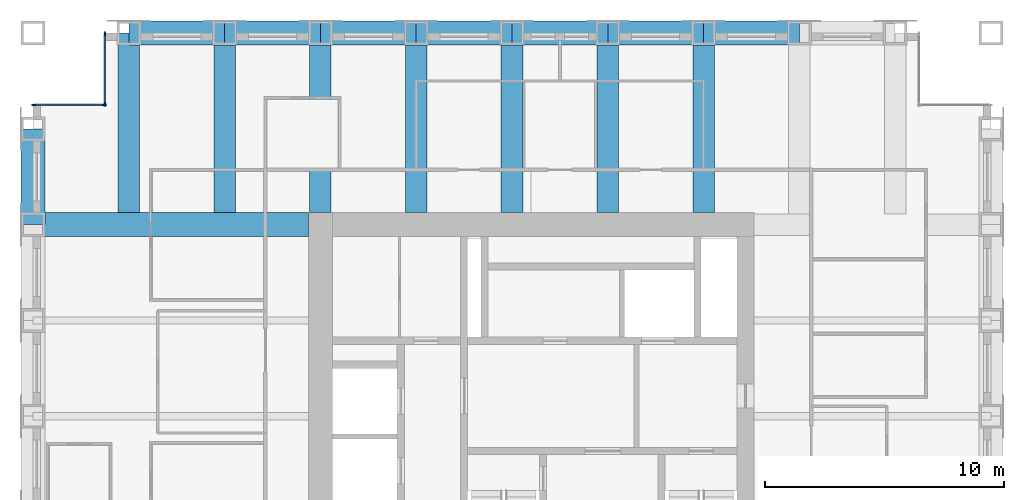
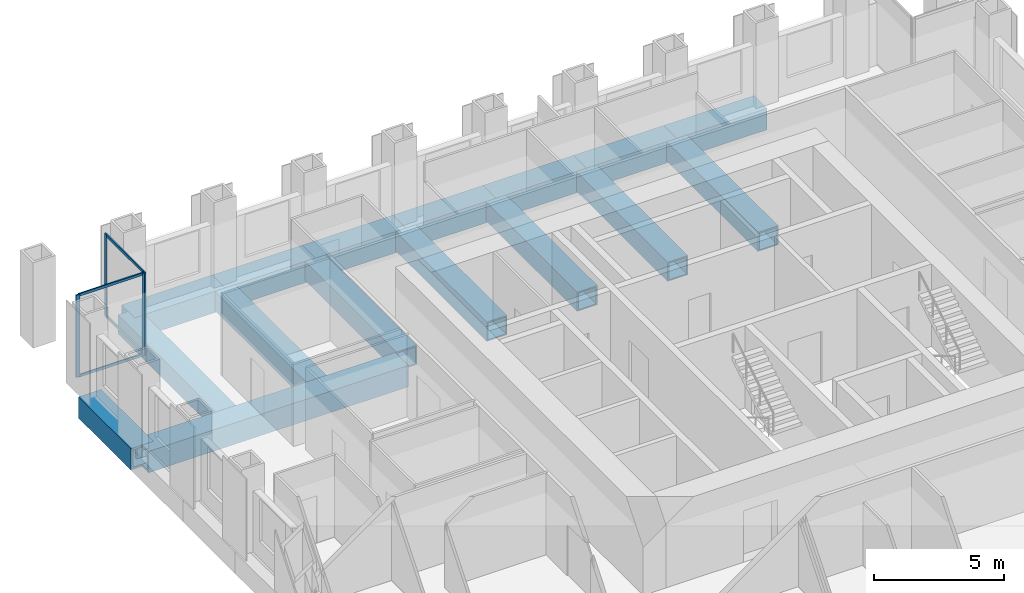
# One storey, part 5 of 13: 16 beams, 8 members, 2 elements without a shape of their own.
"""IFC4 building model written with IfcOpenShell, lengths in metres."""

import ifcopenshell
import ifcopenshell.guid

model = None  # the IFC model being written
_history = None  # IfcOwnerHistory: only IFC2X3 demands one
_inside = {}  # id of a spatial element -> (the spatial element, [elements in it])
_under = {}  # id of a project, library or spatial element -> (it, [spatial elements below it])
_declared = {}  # id of a project -> (the project, [libraries it declares])
_typed = {}  # id of a type object -> (the type object, [elements of that type])
_made_of = {}  # id of a material, layer set ... -> (it, [elements and type objects made of it])


def new_model(schema):
    """Start an empty IFC model of exactly this schema.

    Asked for "IFC4X3", IfcOpenShell would pick the latest addendum, in which some entities
    have other attributes; the version numbers below select the first issue.
    IFC2X3 requires an IfcOwnerHistory on every rooted entity: one is made here for all.
    """
    global model, _history
    if schema == "IFC4X3":
        model = ifcopenshell.file(schema_version=(4, 3, 0, 0))
    else:
        model = ifcopenshell.file(schema=schema)
    _inside.clear()
    _under.clear()
    _declared.clear()
    _typed.clear()
    _made_of.clear()
    _history = None
    if model.schema == "IFC2X3":
        org = make("IfcOrganization", Name="unknown")
        user = make(
            "IfcPersonAndOrganization",
            ThePerson=make("IfcPerson", FamilyName="unknown"),
            TheOrganization=org,
        )
        app = make(
            "IfcApplication",
            ApplicationDeveloper=org,
            Version="unknown",
            ApplicationFullName="unknown",
            ApplicationIdentifier="unknown",
        )
        _history = make(
            "IfcOwnerHistory",
            OwningUser=user,
            OwningApplication=app,
            ChangeAction="ADDED",
            CreationDate=0,
        )
    return model


def make(cls, **values):
    """One entity of the class cls with the attributes given. An attribute that is None is left unset."""
    return model.create_entity(
        cls, **{name: value for name, value in values.items() if value is not None}
    )


def rooted(cls, **values):
    """An entity with a GlobalId (a new one), such as an element, a storey or a relation."""
    return make(cls, GlobalId=ifcopenshell.guid.new(), OwnerHistory=_history, **values)


def si_unit(unit_type, name, prefix=None):
    """IfcSIUnit, for example si_unit("LENGTHUNIT", "METRE", prefix="MILLI")."""
    return make("IfcSIUnit", UnitType=unit_type, Prefix=prefix, Name=name)


def assignment(units):
    """IfcUnitAssignment: the units of a project."""
    return None if units is None else make("IfcUnitAssignment", Units=units)


def point(xyz):
    """IfcCartesianPoint."""
    return None if xyz is None else make("IfcCartesianPoint", Coordinates=xyz)


def direction(xyz):
    """IfcDirection."""
    return None if xyz is None else make("IfcDirection", DirectionRatios=xyz)


def frame(location, z_axis=None, x_axis=None):
    """IfcAxis2Placement3D, a coordinate frame: its origin and axes. An axis left out is left unset."""
    return make(
        "IfcAxis2Placement3D",
        Location=point(location),
        Axis=direction(z_axis),
        RefDirection=direction(x_axis),
    )


def frame_2d(location, x_axis=None):
    """IfcAxis2Placement2D, a coordinate frame in the plane: its origin and x axis."""
    return make(
        "IfcAxis2Placement2D", Location=point(location), RefDirection=direction(x_axis)
    )


def origin():
    """The frame at (0, 0, 0) with its axes left unset."""
    return frame((0.0, 0.0, 0.0))


def origin_2d():
    """The frame at (0, 0) in the plane with its x axis left unset."""
    return frame_2d((0.0, 0.0))


def place(relative_to, where):
    """IfcLocalPlacement: puts the frame where relative to a parent placement (None: the world)."""
    return make(
        "IfcLocalPlacement", PlacementRelTo=relative_to, RelativePlacement=where
    )


def context(
    kind, dimensions, precision=None, world=None, true_north=None, identifier=None
):
    """IfcGeometricRepresentationContext, for example the 3D "Model" context."""
    return make(
        "IfcGeometricRepresentationContext",
        ContextIdentifier=identifier,
        ContextType=kind,
        CoordinateSpaceDimension=dimensions,
        Precision=precision,
        WorldCoordinateSystem=world,
        TrueNorth=true_north,
    )


def subcontext(parent, identifier, kind, view, scale=None):
    """IfcGeometricRepresentationSubContext, for example "Body" below "Model"."""
    return make(
        "IfcGeometricRepresentationSubContext",
        ContextIdentifier=identifier,
        ContextType=kind,
        ParentContext=parent,
        TargetScale=scale,
        TargetView=view,
    )


def project(units=None, contexts=None):
    """IfcProject with its units and contexts."""
    return rooted(
        "IfcProject",
        Name="project",
        RepresentationContexts=contexts,
        UnitsInContext=assignment(units),
    )


def spatial(cls, under=None, at=None, **own):
    """A site, building, storey or space (cls), placed at a placement, below another one or the project."""
    s = rooted(cls, ObjectPlacement=at, **own)
    if under is not None:
        _under.setdefault(under.id(), (under, []))[1].append(s)
    return s


def profile(cls, at=None, kind="AREA", **sizes):
    """A parametric profile (cls). Its sizes go by their IFC names, for example OverallWidth=200.0."""
    return make(cls, ProfileType=kind, Position=at, **sizes)


def rectangle(**sizes):
    """IfcRectangleProfileDef."""
    return profile("IfcRectangleProfileDef", **sizes)


def hollow_rectangle(**sizes):
    """IfcRectangleHollowProfileDef."""
    return profile("IfcRectangleHollowProfileDef", **sizes)


def extrude(swept, where, along, depth):
    """IfcExtrudedAreaSolid: the profile swept, set in the frame where, extruded along a direction by depth."""
    return make(
        "IfcExtrudedAreaSolid",
        SweptArea=swept,
        Position=where,
        ExtrudedDirection=direction(along),
        Depth=depth,
    )


def shape(context_of_items, identifier, shape_type, items):
    """IfcShapeRepresentation: the items that make up one representation, for example the "Body"."""
    return make(
        "IfcShapeRepresentation",
        ContextOfItems=context_of_items,
        RepresentationIdentifier=identifier,
        RepresentationType=shape_type,
        Items=items,
    )


def material(Name=None, Category=None):
    """IfcMaterial."""
    return make("IfcMaterial", Name=Name, Category=Category)


def material_profile(
    of_material, cross_section, Name=None, Category=None, Priority=None
):
    """IfcMaterialProfile: a cross section and its material."""
    return make(
        "IfcMaterialProfile",
        Name=Name,
        Material=of_material,
        Profile=cross_section,
        Priority=Priority,
        Category=Category,
    )


def profile_set(profiles, Name=None, composite=None):
    """IfcMaterialProfileSet."""
    return make(
        "IfcMaterialProfileSet",
        Name=Name,
        MaterialProfiles=profiles,
        CompositeProfile=composite,
    )


def made_of(thing, what):
    """Note that an element or type object is made of a material, layer set ...; save() writes the relation."""
    if what is not None:
        _made_of.setdefault(what.id(), (what, []))[1].append(thing)
    return thing


def type_object(cls, material=None, **own):
    """A type object (cls), such as IfcWallType, which elements share."""
    return made_of(rooted(cls, **own), material)


def element(
    cls,
    number,
    at=None,
    inside=None,
    cuts=None,
    type_object=None,
    material=None,
    context=None,
    identifier="Body",
    shape_type=None,
    held_by="IfcProductDefinitionShape",
    body=None,
    shapes=None,
    **own,
):
    """One element of the class cls, such as IfcWall. Its Tag is "e" and its number.

    at: its placement. inside: the storey or other place that contains it. cuts: it is an
    opening in that element (IfcRelVoidsElement). A single representation is given by context,
    identifier, shape_type and body (its items); several are given by shapes. held_by: the class
    of the entity that holds the representations. save() writes the other relations.
    """
    e = rooted(cls, Tag="e%d" % number, ObjectPlacement=at, **own)
    if body is not None:
        shapes = [shape(context, identifier, shape_type, body)]
    if shapes is not None:
        e.Representation = make(held_by, Representations=shapes)
    if inside is not None:
        _inside.setdefault(inside.id(), (inside, []))[1].append(e)
    if cuts is not None:
        rooted(
            "IfcRelVoidsElement", RelatingBuildingElement=cuts, RelatedOpeningElement=e
        )
    if type_object is not None:
        _typed.setdefault(type_object.id(), (type_object, []))[1].append(e)
    return made_of(e, material)


def aggregate(whole, parts):
    """IfcRelAggregates: a whole, such as a stair, and the parts it consists of."""
    return rooted("IfcRelAggregates", RelatingObject=whole, RelatedObjects=parts)


def save(model, path):
    """Write the relations noted so far, then the file.

    IfcRelAggregates (storeys below a building ...), IfcRelContainedInSpatialStructure (elements
    in a storey), IfcRelDefinesByType, IfcRelAssociatesMaterial and IfcRelDeclares: one each for
    every whole, place, type object, material and project.
    """
    for whole, parts in _under.values():
        aggregate(whole, parts)
    for where, things in _inside.values():
        rooted(
            "IfcRelContainedInSpatialStructure",
            RelatedElements=things,
            RelatingStructure=where,
        )
    for kind, things in _typed.values():
        rooted("IfcRelDefinesByType", RelatedObjects=things, RelatingType=kind)
    for what, things in _made_of.values():
        rooted("IfcRelAssociatesMaterial", RelatedObjects=things, RelatingMaterial=what)
    for by, libraries in _declared.values():
        rooted("IfcRelDeclares", RelatingContext=by, RelatedDefinitions=libraries)
    model.write(path)


model = new_model("IFC4")

# Units and contexts
model_context = context("Model", 3, precision=1e-05, world=origin(), true_north=direction((0.0, 1.0)))
body_context = subcontext(model_context, "Body", "Model", "MODEL_VIEW")
ifc_project = project(units=[si_unit("LENGTHUNIT", "METRE"), si_unit("AREAUNIT", "SQUARE_METRE"), si_unit("VOLUMEUNIT", "CUBIC_METRE"), si_unit("PLANEANGLEUNIT", "RADIAN"), si_unit("MASSUNIT", "GRAM", prefix="KILO")], contexts=[model_context])

# Site, building, storey
site_placement = place(None, origin())
site = spatial("IfcSite", under=ifc_project, at=site_placement, CompositionType="ELEMENT")
building_placement = place(site_placement, origin())
building = spatial("IfcBuilding", under=site, at=building_placement, Name="Rimbunsela Tower", CompositionType="ELEMENT")
storey_placement = place(building_placement, frame((0.0, 0.0, 294.199951171875)))
storey = spatial("IfcBuildingStorey", under=building, at=storey_placement, Name="L71", CompositionType="ELEMENT", Elevation=294.199951171875)

# Beams
ifc_material_1 = material(Name="Steel BJ 55 (fy 410 MPa)", Category="steel")
ifc_material_profile_1 = material_profile(ifc_material_1, hollow_rectangle(XDim=1.0, YDim=1.0, WallThickness=0.10009765625, at=origin_2d()), Name="BOX 1000x1000x100")
ifc_profile_set_1 = profile_set([ifc_material_profile_1], Name="Steel BJ 55 (fy 410 MPa)")
beam_type_1 = type_object("IfcBeamType", Name="Beam BOX 1000x1000x100", PredefinedType="BEAM", material=ifc_profile_set_1)
beam_1_placement = place(storey_placement, frame((6.0, 36.0, -0.64990234375), z_axis=(0.0, 1.0, 0.0), x_axis=(-1.0, 0.0, 0.0)))
element("IfcBeam", 1, at=beam_1_placement, inside=storey, type_object=beam_type_1, Name="Beam B3 L71", PredefinedType="BEAM", context=body_context, shape_type="SweptSolid", body=[
    extrude(hollow_rectangle(XDim=1.0, YDim=1.0, WallThickness=0.10009765625, at=origin_2d()), origin(), (0.0, 0.0, 1.0), 4.0),
])
beam_2_placement = place(storey_placement, frame((6.0, 36.0, -0.64990234375), z_axis=(1.0, 0.0, 0.0), x_axis=(0.0, 1.0, 0.0)))
element("IfcBeam", 2, at=beam_2_placement, inside=storey, type_object=beam_type_1, Name="Beam B3 L71", PredefinedType="BEAM", context=body_context, shape_type="SweptSolid", body=[
    extrude(hollow_rectangle(XDim=1.0, YDim=1.0, WallThickness=0.10009765625, at=origin_2d()), origin(), (0.0, 0.0, 1.0), 11.5),
])
for number, where, z_axis, x_axis, name in (
    (3, (10.0, 44.0, -0.64990234375), (1.0, 0.0, 0.0), (0.0, 1.0, 0.0), "Beam B3 L71"),
    (4, (14.0, 44.0, -0.64990234375), (1.0, 0.0, 0.0), (0.0, 1.0, 0.0), "Beam B3 L71"),
    (5, (18.0, 44.0, -0.64990234375), (1.0, 0.0, 0.0), (0.0, 1.0, 0.0), "Beam B3 L71"),
    (6, (22.0, 44.0, -0.64990234375), (1.0, 0.0, 0.0), (0.0, 1.0, 0.0), "Beam B3 L71"),
    (7, (26.0, 44.0, -0.64990234375), (1.0, 0.0, 0.0), (0.0, 1.0, 0.0), "Beam B3 L71"),
    (8, (30.0, 44.0, -0.64990234375), (1.0, 0.0, 0.0), (0.0, 1.0, 0.0), "Beam B3 L71"),
    (9, (34.0, 44.0, -0.64990234375), (1.0, 0.0, 0.0), (0.0, 1.0, 0.0), "Beam B3 L71"),
):
    element("IfcBeam", number, at=place(storey_placement, frame(where, z_axis=z_axis, x_axis=x_axis)), inside=storey, type_object=beam_type_1, Name=name, PredefinedType="BEAM", context=body_context, shape_type="SweptSolid", body=[
        extrude(hollow_rectangle(XDim=1.0, YDim=1.0, WallThickness=0.10009765625, at=origin_2d()), origin(), (0.0, 0.0, 1.0), 4.0),
    ])
ifc_material_2 = material(Name="Steel BJ 55 (fy 410 MPa)", Category="steel")
ifc_material_profile_2 = material_profile(ifc_material_2, hollow_rectangle(XDim=0.89990234375, YDim=0.89990234375, WallThickness=0.06005859375, at=origin_2d()), Name="BOX 900x900x60")
ifc_profile_set_2 = profile_set([ifc_material_profile_2], Name="Steel BJ 55 (fy 410 MPa)")
beam_type_2 = type_object("IfcBeamType", Name="Beam BOX 900x900x60", PredefinedType="BEAM", material=ifc_profile_set_2)
for number, where, z_axis, x_axis, name in (
    (10, (10.0, 36.5, -0.599853515625), (0.0, 1.0, 0.0), (-1.0, 0.0, 0.0), "Beam B1 L71"),
    (11, (14.0, 36.5, -0.599853515625), (0.0, 1.0, 0.0), (-1.0, 0.0, 0.0), "Beam B1 L71"),
    (12, (18.0, 36.5, -0.599853515625), (0.0, 1.0, 0.0), (-1.0, 0.0, 0.0), "Beam B1 L71"),
    (13, (22.0, 36.5, -0.599853515625), (0.0, 1.0, 0.0), (-1.0, 0.0, 0.0), "Beam B1 L71"),
    (14, (26.0, 36.5, -0.599853515625), (0.0, 1.0, 0.0), (-1.0, 0.0, 0.0), "Beam B1 L71"),
    (15, (30.0, 36.5, -0.599853515625), (0.0, 1.0, 0.0), (-1.0, 0.0, 0.0), "Beam B1 L71"),
    (16, (34.0, 36.5, -0.599853515625), (0.0, 1.0, 0.0), (-1.0, 0.0, 0.0), "Beam B1 L71"),
):
    element("IfcBeam", number, at=place(storey_placement, frame(where, z_axis=z_axis, x_axis=x_axis)), inside=storey, type_object=beam_type_2, Name=name, PredefinedType="BEAM", context=body_context, shape_type="SweptSolid", body=[
        extrude(hollow_rectangle(XDim=0.89990234375, YDim=0.89990234375, WallThickness=0.06005859375, at=origin_2d()), origin(), (0.0, 0.0, 1.0), 7.5),
    ])

# Curtain wall, members
ifc_material_3 = material(Name="Aluminium curtain wall", Category="aluminium")
curtain_wall_type = type_object("IfcCurtainWallType", Name="Corner glazing", PredefinedType="USERDEFINED", material=ifc_material_3)
curtain_wall_1_placement = place(storey_placement, origin())
curtain_wall_1 = element("IfcCurtainWall", 17, at=curtain_wall_1_placement, inside=storey, type_object=curtain_wall_type, Name="Corner glazing L71", ObjectType="CORNER GLAZING", PredefinedType="USERDEFINED")
ifc_material_4 = material(Name="Aluminium mullion", Category="aluminium")
ifc_material_profile_3 = material_profile(ifc_material_4, rectangle(XDim=0.06005859375, YDim=0.159912109375, at=origin_2d()), Name="Mullion 60x160")
ifc_profile_set_3 = profile_set([ifc_material_profile_3], Name="Aluminium mullion")
member_type_1 = type_object("IfcMemberType", Name="Curtain wall mullion 60x160", PredefinedType="MULLION", material=ifc_profile_set_3)
member_1_placement = place(storey_placement, frame((9.0, 43.969970703125, 0.0), z_axis=(0.0, 0.0, 1.0), x_axis=(1.0, 0.0, 0.0)))
member_1 = element("IfcMember", 18, at=member_1_placement, type_object=member_type_1, Name="CW5 mullion 1", PredefinedType="MULLION", context=body_context, shape_type="SweptSolid", body=[
    extrude(rectangle(XDim=0.06005859375, YDim=0.159912109375, at=origin_2d()), origin(), (0.0, 0.0, 1.0), 3.85009765625),
])
member_2_placement = place(storey_placement, frame((9.0, 41.030029296875, 0.0), z_axis=(0.0, 0.0, 1.0), x_axis=(1.0, 0.0, 0.0)))
member_2 = element("IfcMember", 19, at=member_2_placement, type_object=member_type_1, Name="CW5 mullion 2", PredefinedType="MULLION", context=body_context, shape_type="SweptSolid", body=[
    extrude(rectangle(XDim=0.06005859375, YDim=0.159912109375, at=origin_2d()), origin(), (0.0, 0.0, 1.0), 3.85009765625),
])

curtain_wall_2_placement = place(storey_placement, origin())
curtain_wall_2 = element("IfcCurtainWall", 20, at=curtain_wall_2_placement, inside=storey, type_object=curtain_wall_type, Name="Corner glazing L71", ObjectType="CORNER GLAZING", PredefinedType="USERDEFINED")
member_3_placement = place(storey_placement, frame((8.969970703125, 41.0, 0.0), z_axis=(0.0, 0.0, 1.0), x_axis=(0.0, -1.0, 0.0)))
member_3 = element("IfcMember", 21, at=member_3_placement, type_object=member_type_1, Name="CW5 mullion 1", PredefinedType="MULLION", context=body_context, shape_type="SweptSolid", body=[
    extrude(rectangle(XDim=0.06005859375, YDim=0.159912109375, at=origin_2d()), origin(), (0.0, 0.0, 1.0), 3.85009765625),
])
member_4_placement = place(storey_placement, frame((6.030029296875, 41.0, 0.0), z_axis=(0.0, 0.0, 1.0), x_axis=(0.0, -1.0, 0.0)))
member_4 = element("IfcMember", 22, at=member_4_placement, type_object=member_type_1, Name="CW5 mullion 2", PredefinedType="MULLION", context=body_context, shape_type="SweptSolid", body=[
    extrude(rectangle(XDim=0.06005859375, YDim=0.159912109375, at=origin_2d()), origin(), (0.0, 0.0, 1.0), 3.85009765625),
])

# Member
ifc_material_5 = material(Name="Aluminium transom", Category="aluminium")
ifc_material_profile_4 = material_profile(ifc_material_5, rectangle(XDim=0.06005859375, YDim=0.1201171875, at=origin_2d()), Name="Transom 60x120")
ifc_profile_set_4 = profile_set([ifc_material_profile_4], Name="Aluminium transom")
member_type_2 = type_object("IfcMemberType", Name="Curtain wall transom 60x120", PredefinedType="USERDEFINED", material=ifc_profile_set_4)
member_5_placement = place(storey_placement, frame((9.0, 43.93994140625, 0.030029296875), z_axis=(0.0, -1.0, 0.0), x_axis=(1.0, 0.0, 0.0)))
member_5 = element("IfcMember", 23, at=member_5_placement, type_object=member_type_2, Name="CW5 transom 1.1", ObjectType="TRANSOM", PredefinedType="USERDEFINED", context=body_context, shape_type="SweptSolid", body=[
    extrude(rectangle(XDim=0.06005859375, YDim=0.1201171875, at=origin_2d()), origin(), (0.0, 0.0, 1.0), 2.8798828125),
])

member_6_placement = place(storey_placement, frame((9.0, 43.93994140625, 3.820068359375), z_axis=(0.0, -1.0, 0.0), x_axis=(1.0, 0.0, 0.0)))
member_6 = element("IfcMember", 24, at=member_6_placement, type_object=member_type_2, Name="CW5 transom 1.2", ObjectType="TRANSOM", PredefinedType="USERDEFINED", context=body_context, shape_type="SweptSolid", body=[
    extrude(rectangle(XDim=0.06005859375, YDim=0.1201171875, at=origin_2d()), origin(), (0.0, 0.0, 1.0), 2.8798828125),
])

aggregate(curtain_wall_1, [member_1, member_2, member_5, member_6])

member_7_placement = place(storey_placement, frame((8.93994140625, 41.0, 0.030029296875), z_axis=(-1.0, 0.0, 0.0), x_axis=(0.0, -1.0, 0.0)))
member_7 = element("IfcMember", 25, at=member_7_placement, type_object=member_type_2, Name="CW5 transom 1.1", ObjectType="TRANSOM", PredefinedType="USERDEFINED", context=body_context, shape_type="SweptSolid", body=[
    extrude(rectangle(XDim=0.06005859375, YDim=0.1201171875, at=origin_2d()), origin(), (0.0, 0.0, 1.0), 2.8798828125),
])

member_8_placement = place(storey_placement, frame((8.93994140625, 41.0, 3.820068359375), z_axis=(-1.0, 0.0, 0.0), x_axis=(0.0, -1.0, 0.0)))
member_8 = element("IfcMember", 26, at=member_8_placement, type_object=member_type_2, Name="CW5 transom 1.2", ObjectType="TRANSOM", PredefinedType="USERDEFINED", context=body_context, shape_type="SweptSolid", body=[
    extrude(rectangle(XDim=0.06005859375, YDim=0.1201171875, at=origin_2d()), origin(), (0.0, 0.0, 1.0), 2.8798828125),
])

aggregate(curtain_wall_2, [member_3, member_4, member_7, member_8])

save(model, "model.ifc")
